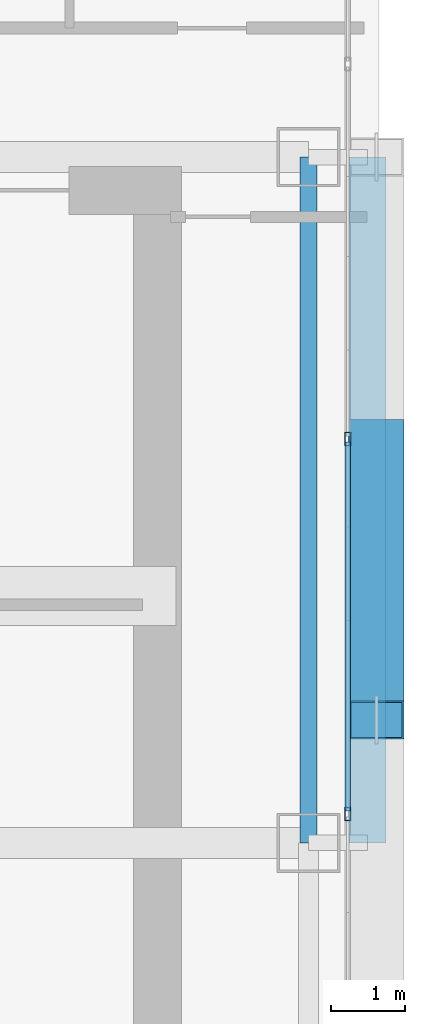
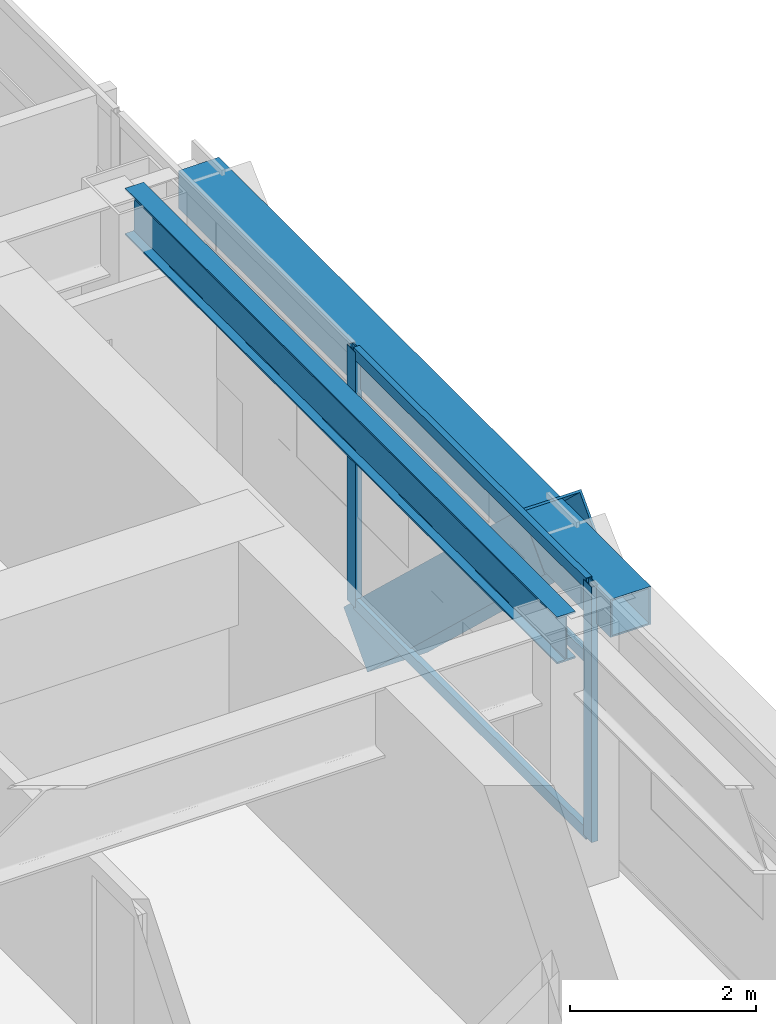
# One storey, part 15 of 35: 6 members, 2 beams, 1 element without a shape of its own.
"""IFC4 building model written with IfcOpenShell, lengths in metres."""

import ifcopenshell
import ifcopenshell.guid

model = None  # the IFC model being written
_history = None  # IfcOwnerHistory: only IFC2X3 demands one
_inside = {}  # id of a spatial element -> (the spatial element, [elements in it])
_under = {}  # id of a project, library or spatial element -> (it, [spatial elements below it])
_declared = {}  # id of a project -> (the project, [libraries it declares])
_typed = {}  # id of a type object -> (the type object, [elements of that type])
_made_of = {}  # id of a material, layer set ... -> (it, [elements and type objects made of it])


def new_model(schema):
    """Start an empty IFC model of exactly this schema.

    Asked for "IFC4X3", IfcOpenShell would pick the latest addendum, in which some entities
    have other attributes; the version numbers below select the first issue.
    IFC2X3 requires an IfcOwnerHistory on every rooted entity: one is made here for all.
    """
    global model, _history
    if schema == "IFC4X3":
        model = ifcopenshell.file(schema_version=(4, 3, 0, 0))
    else:
        model = ifcopenshell.file(schema=schema)
    _inside.clear()
    _under.clear()
    _declared.clear()
    _typed.clear()
    _made_of.clear()
    _history = None
    if model.schema == "IFC2X3":
        org = make("IfcOrganization", Name="unknown")
        user = make(
            "IfcPersonAndOrganization",
            ThePerson=make("IfcPerson", FamilyName="unknown"),
            TheOrganization=org,
        )
        app = make(
            "IfcApplication",
            ApplicationDeveloper=org,
            Version="unknown",
            ApplicationFullName="unknown",
            ApplicationIdentifier="unknown",
        )
        _history = make(
            "IfcOwnerHistory",
            OwningUser=user,
            OwningApplication=app,
            ChangeAction="ADDED",
            CreationDate=0,
        )
    return model


def make(cls, **values):
    """One entity of the class cls with the attributes given. An attribute that is None is left unset."""
    return model.create_entity(
        cls, **{name: value for name, value in values.items() if value is not None}
    )


def rooted(cls, **values):
    """An entity with a GlobalId (a new one), such as an element, a storey or a relation."""
    return make(cls, GlobalId=ifcopenshell.guid.new(), OwnerHistory=_history, **values)


def si_unit(unit_type, name, prefix=None):
    """IfcSIUnit, for example si_unit("LENGTHUNIT", "METRE", prefix="MILLI")."""
    return make("IfcSIUnit", UnitType=unit_type, Prefix=prefix, Name=name)


def assignment(units):
    """IfcUnitAssignment: the units of a project."""
    return None if units is None else make("IfcUnitAssignment", Units=units)


def point(xyz):
    """IfcCartesianPoint."""
    return None if xyz is None else make("IfcCartesianPoint", Coordinates=xyz)


def direction(xyz):
    """IfcDirection."""
    return None if xyz is None else make("IfcDirection", DirectionRatios=xyz)


def frame(location, z_axis=None, x_axis=None):
    """IfcAxis2Placement3D, a coordinate frame: its origin and axes. An axis left out is left unset."""
    return make(
        "IfcAxis2Placement3D",
        Location=point(location),
        Axis=direction(z_axis),
        RefDirection=direction(x_axis),
    )


def frame_2d(location, x_axis=None):
    """IfcAxis2Placement2D, a coordinate frame in the plane: its origin and x axis."""
    return make(
        "IfcAxis2Placement2D", Location=point(location), RefDirection=direction(x_axis)
    )


def origin():
    """The frame at (0, 0, 0) with its axes left unset."""
    return frame((0.0, 0.0, 0.0))


def origin_2d():
    """The frame at (0, 0) in the plane with its x axis left unset."""
    return frame_2d((0.0, 0.0))


def place(relative_to, where):
    """IfcLocalPlacement: puts the frame where relative to a parent placement (None: the world)."""
    return make(
        "IfcLocalPlacement", PlacementRelTo=relative_to, RelativePlacement=where
    )


def context(
    kind, dimensions, precision=None, world=None, true_north=None, identifier=None
):
    """IfcGeometricRepresentationContext, for example the 3D "Model" context."""
    return make(
        "IfcGeometricRepresentationContext",
        ContextIdentifier=identifier,
        ContextType=kind,
        CoordinateSpaceDimension=dimensions,
        Precision=precision,
        WorldCoordinateSystem=world,
        TrueNorth=true_north,
    )


def subcontext(parent, identifier, kind, view, scale=None):
    """IfcGeometricRepresentationSubContext, for example "Body" below "Model"."""
    return make(
        "IfcGeometricRepresentationSubContext",
        ContextIdentifier=identifier,
        ContextType=kind,
        ParentContext=parent,
        TargetScale=scale,
        TargetView=view,
    )


def project(units=None, contexts=None):
    """IfcProject with its units and contexts."""
    return rooted(
        "IfcProject",
        Name="project",
        RepresentationContexts=contexts,
        UnitsInContext=assignment(units),
    )


def spatial(cls, under=None, at=None, **own):
    """A site, building, storey or space (cls), placed at a placement, below another one or the project."""
    s = rooted(cls, ObjectPlacement=at, **own)
    if under is not None:
        _under.setdefault(under.id(), (under, []))[1].append(s)
    return s


def profile(cls, at=None, kind="AREA", **sizes):
    """A parametric profile (cls). Its sizes go by their IFC names, for example OverallWidth=200.0."""
    return make(cls, ProfileType=kind, Position=at, **sizes)


def hollow_rectangle(**sizes):
    """IfcRectangleHollowProfileDef."""
    return profile("IfcRectangleHollowProfileDef", **sizes)


def i_section(**sizes):
    """IfcIShapeProfileDef."""
    return profile("IfcIShapeProfileDef", **sizes)


def extrude(swept, where, along, depth):
    """IfcExtrudedAreaSolid: the profile swept, set in the frame where, extruded along a direction by depth."""
    return make(
        "IfcExtrudedAreaSolid",
        SweptArea=swept,
        Position=where,
        ExtrudedDirection=direction(along),
        Depth=depth,
    )


def shape(context_of_items, identifier, shape_type, items):
    """IfcShapeRepresentation: the items that make up one representation, for example the "Body"."""
    return make(
        "IfcShapeRepresentation",
        ContextOfItems=context_of_items,
        RepresentationIdentifier=identifier,
        RepresentationType=shape_type,
        Items=items,
    )


def source(mapping_origin, context_of_items, identifier, shape_type, items):
    """IfcRepresentationMap: a shape defined once, which mapped items show again and again."""
    return make(
        "IfcRepresentationMap",
        MappingOrigin=mapping_origin,
        MappedRepresentation=shape(context_of_items, identifier, shape_type, items),
    )


def transform(
    local_origin,
    x_axis=None,
    y_axis=None,
    z_axis=None,
    scale=None,
    scale2=None,
    scale3=None,
    uniform=True,
):
    """IfcCartesianTransformationOperator3D, or its non-uniform kind. x_axis, y_axis, z_axis: its Axis1, 2, 3."""
    if uniform:
        return make(
            "IfcCartesianTransformationOperator3D",
            Axis1=direction(x_axis),
            Axis2=direction(y_axis),
            LocalOrigin=point(local_origin),
            Scale=scale,
            Axis3=direction(z_axis),
        )
    return make(
        "IfcCartesianTransformationOperator3DnonUniform",
        Axis1=direction(x_axis),
        Axis2=direction(y_axis),
        LocalOrigin=point(local_origin),
        Scale=scale,
        Axis3=direction(z_axis),
        Scale2=scale2,
        Scale3=scale3,
    )


def mapped(mapping_source, mapping_target):
    """IfcMappedItem: shows the shape of a source again, moved by a transform."""
    return make(
        "IfcMappedItem", MappingSource=mapping_source, MappingTarget=mapping_target
    )


def material(Name=None, Category=None):
    """IfcMaterial."""
    return make("IfcMaterial", Name=Name, Category=Category)


def layer(
    of_material, thickness, ventilated=None, Name=None, Category=None, Priority=None
):
    """IfcMaterialLayer: one layer of a wall or slab, of a material (None: an air gap)."""
    return make(
        "IfcMaterialLayer",
        Material=of_material,
        LayerThickness=thickness,
        IsVentilated=ventilated,
        Name=Name,
        Category=Category,
        Priority=Priority,
    )


def layer_set(layers, Name=None):
    """IfcMaterialLayerSet."""
    return make("IfcMaterialLayerSet", MaterialLayers=layers, LayerSetName=Name)


def material_profile(
    of_material, cross_section, Name=None, Category=None, Priority=None
):
    """IfcMaterialProfile: a cross section and its material."""
    return make(
        "IfcMaterialProfile",
        Name=Name,
        Material=of_material,
        Profile=cross_section,
        Priority=Priority,
        Category=Category,
    )


def profile_set(profiles, Name=None, composite=None):
    """IfcMaterialProfileSet."""
    return make(
        "IfcMaterialProfileSet",
        Name=Name,
        MaterialProfiles=profiles,
        CompositeProfile=composite,
    )


def made_of(thing, what):
    """Note that an element or type object is made of a material, layer set ...; save() writes the relation."""
    if what is not None:
        _made_of.setdefault(what.id(), (what, []))[1].append(thing)
    return thing


def type_object(cls, material=None, **own):
    """A type object (cls), such as IfcWallType, which elements share."""
    return made_of(rooted(cls, **own), material)


def element(
    cls,
    number,
    at=None,
    inside=None,
    cuts=None,
    type_object=None,
    material=None,
    context=None,
    identifier="Body",
    shape_type=None,
    held_by="IfcProductDefinitionShape",
    body=None,
    shapes=None,
    **own,
):
    """One element of the class cls, such as IfcWall. Its Tag is "e" and its number.

    at: its placement. inside: the storey or other place that contains it. cuts: it is an
    opening in that element (IfcRelVoidsElement). A single representation is given by context,
    identifier, shape_type and body (its items); several are given by shapes. held_by: the class
    of the entity that holds the representations. save() writes the other relations.
    """
    e = rooted(cls, Tag="e%d" % number, ObjectPlacement=at, **own)
    if body is not None:
        shapes = [shape(context, identifier, shape_type, body)]
    if shapes is not None:
        e.Representation = make(held_by, Representations=shapes)
    if inside is not None:
        _inside.setdefault(inside.id(), (inside, []))[1].append(e)
    if cuts is not None:
        rooted(
            "IfcRelVoidsElement", RelatingBuildingElement=cuts, RelatedOpeningElement=e
        )
    if type_object is not None:
        _typed.setdefault(type_object.id(), (type_object, []))[1].append(e)
    return made_of(e, material)


def aggregate(whole, parts):
    """IfcRelAggregates: a whole, such as a stair, and the parts it consists of."""
    return rooted("IfcRelAggregates", RelatingObject=whole, RelatedObjects=parts)


def save(model, path):
    """Write the relations noted so far, then the file.

    IfcRelAggregates (storeys below a building ...), IfcRelContainedInSpatialStructure (elements
    in a storey), IfcRelDefinesByType, IfcRelAssociatesMaterial and IfcRelDeclares: one each for
    every whole, place, type object, material and project.
    """
    for whole, parts in _under.values():
        aggregate(whole, parts)
    for where, things in _inside.values():
        rooted(
            "IfcRelContainedInSpatialStructure",
            RelatedElements=things,
            RelatingStructure=where,
        )
    for kind, things in _typed.values():
        rooted("IfcRelDefinesByType", RelatedObjects=things, RelatingType=kind)
    for what, things in _made_of.values():
        rooted("IfcRelAssociatesMaterial", RelatedObjects=things, RelatingMaterial=what)
    for by, libraries in _declared.values():
        rooted("IfcRelDeclares", RelatingContext=by, RelatedDefinitions=libraries)
    model.write(path)


model = new_model("IFC4")

# Units and contexts
model_context = context("Model", 3, precision=1e-05, world=origin(), true_north=direction((0.0, 1.0)))
body_context = subcontext(model_context, "Body", "Model", "MODEL_VIEW")
ifc_project = project(units=[si_unit("LENGTHUNIT", "METRE"), si_unit("AREAUNIT", "SQUARE_METRE"), si_unit("VOLUMEUNIT", "CUBIC_METRE"), si_unit("PLANEANGLEUNIT", "RADIAN"), si_unit("MASSUNIT", "GRAM", prefix="KILO")], contexts=[model_context])

# Site, building, storey
site_placement = place(None, origin())
site = spatial("IfcSite", under=ifc_project, at=site_placement, CompositionType="ELEMENT")
building_placement = place(site_placement, origin())
building = spatial("IfcBuilding", under=site, at=building_placement, Name="Ocotamira Hotel", CompositionType="ELEMENT")
storey_placement = place(building_placement, frame((0.0, 0.0, 100.800048828125)))
storey = spatial("IfcBuildingStorey", under=building, at=storey_placement, Name="L24", CompositionType="ELEMENT", Elevation=100.800048828125)

# Beams
ifc_material_1 = material(Name="Steel ASTM A992 Grade 50", Category="steel")
ifc_material_profile_1 = material_profile(ifc_material_1, i_section(OverallWidth=0.22998046875, OverallDepth=0.616943359375, WebThickness=0.01318359375, FlangeThickness=0.022216796875, FilletRadius=0.012939453125, at=origin_2d()), Name="W24X94")
ifc_profile_set_1 = profile_set([ifc_material_profile_1], Name="Steel ASTM A992 Grade 50")
beam_type_1 = type_object("IfcBeamType", Name="BM-PRIM-W24X94", PredefinedType="BEAM", material=ifc_profile_set_1)
shared_shape_1 = source(origin(), body_context, "Body", "SweptSolid", [
    extrude(i_section(OverallWidth=0.22998046875, OverallDepth=0.616943359375, WebThickness=0.01318359375, FlangeThickness=0.022216796875, FilletRadius=0.012939453125, at=origin_2d()), origin(), (0.0, 0.0, 1.0), 9.300048828125),
])
beam_1_placement = place(storey_placement, frame((55.050048828125, 28.14990234375, 3.051513671875), z_axis=(0.0, 1.0, 0.0), x_axis=(-1.0, 0.0, 0.0)))
element("IfcBeam", 1, at=beam_1_placement, inside=storey, type_object=beam_type_1, Name="L24 Beam X55.05 Y28.15-37.45", PredefinedType="BEAM", context=body_context, shape_type="MappedRepresentation", body=[
    mapped(shared_shape_1, transform((0.0, 0.0, 0.0), scale=1.0)),
])
ifc_material_2 = material(Name="Steel ASTM A500 Grade C", Category="steel")
ifc_material_profile_2 = material_profile(ifc_material_2, hollow_rectangle(XDim=0.5, YDim=0.5, WallThickness=0.02001953125, at=origin_2d()), Name="HSS500X500X20")
ifc_profile_set_2 = profile_set([ifc_material_profile_2], Name="Steel ASTM A500 Grade C")
beam_type_2 = type_object("IfcBeamType", Name="BM-SPAN-HSS500", PredefinedType="USERDEFINED", material=ifc_profile_set_2)
shared_shape_2 = source(origin(), body_context, "Body", "SweptSolid", [
    extrude(hollow_rectangle(XDim=0.5, YDim=0.5, WallThickness=0.02001953125, at=origin_2d()), origin(), (0.0, 0.0, 1.0), 9.300048828125),
])
beam_2_placement = place(storey_placement, frame((55.85009765625, 28.14990234375, 3.10986328125), z_axis=(0.0, 1.0, 0.0), x_axis=(-1.0, 0.0, 0.0)))
element("IfcBeam", 2, at=beam_2_placement, inside=storey, type_object=beam_type_2, Name="L24 Edge Spandrel E Y28.15-37.45", ObjectType="SPANDREL", PredefinedType="USERDEFINED", context=body_context, shape_type="MappedRepresentation", body=[
    mapped(shared_shape_2, transform((0.0, 0.0, 0.0), scale=1.0)),
])

# Member
ifc_material_3 = material(Name="Pale-metal coated steel ASTM A913 Grade 65", Category="steel")
ifc_material_profile_3 = material_profile(ifc_material_3, hollow_rectangle(XDim=0.75, YDim=0.75, WallThickness=0.028076171875, at=origin_2d()), Name="BOX750X750X28")
ifc_profile_set_3 = profile_set([ifc_material_profile_3], Name="Pale-metal coated steel ASTM A913 Grade 65")
member_type_1 = type_object("IfcMemberType", Name="MEM-EXO-BOX750", PredefinedType="BRACE", material=ifc_profile_set_3)
shared_shape_3 = source(origin(), body_context, "Body", "SweptSolid", [
    extrude(hollow_rectangle(XDim=0.75, YDim=0.75, WallThickness=0.028076171875, at=origin_2d()), origin(), (0.0, 0.0, 1.0), 5.24658203125),
])
member_1_placement = place(storey_placement, frame((55.969970703125, 33.63330078125, -0.489990234375), z_axis=(0.0, -0.72746596067, 0.686143772154), x_axis=(1.0, 0.0, 0.0)))
element("IfcMember", 3, at=member_1_placement, inside=storey, type_object=member_type_1, Name="L24 Exoskeleton Diagrid E2.1", PredefinedType="BRACE", context=body_context, shape_type="MappedRepresentation", body=[
    mapped(shared_shape_3, transform((0.0, 0.0, 0.0), scale=1.0)),
])

# Curtain wall, members
ifc_material_4 = material(Name="Anodised pale-metal aluminium and solar glass", Category="aluminium")
ifc_layer = layer(ifc_material_4, 0.179931640625)
ifc_layer_set = layer_set([ifc_layer], Name="Anodised pale-metal aluminium and solar glass")
curtain_wall_type = type_object("IfcCurtainWallType", Name="CW-SYS3-Z2", PredefinedType="NOTDEFINED", material=ifc_layer_set)
curtain_wall_placement = place(storey_placement, origin())
curtain_wall = element("IfcCurtainWall", 4, at=curtain_wall_placement, inside=storey, type_object=curtain_wall_type, Name="L24 Curtain Wall CW-3 CW-L24-E", PredefinedType="NOTDEFINED")
ifc_material_5 = material(Name="Anodised pale-metal aluminium 6063-T6", Category="aluminium")
ifc_material_profile_4 = material_profile(ifc_material_5, hollow_rectangle(XDim=0.074951171875, YDim=0.14990234375, WallThickness=0.006103515625, at=origin_2d()), Name="HSS150X75X6")
ifc_profile_set_4 = profile_set([ifc_material_profile_4], Name="Anodised pale-metal aluminium 6063-T6")
member_type_2 = type_object("IfcMemberType", Name="CWT-150X75", PredefinedType="USERDEFINED", material=ifc_profile_set_4)
shared_shape_4 = source(origin(), body_context, "Body", "SweptSolid", [
    extrude(hollow_rectangle(XDim=0.074951171875, YDim=0.14990234375, WallThickness=0.006103515625, at=origin_2d()), origin(), (0.0, 0.0, 1.0), 5.005859375),
])
member_2_placement = place(storey_placement, frame((55.580078125, 28.582763671875, 0.037353515625), z_axis=(0.0, 1.0, 0.0), x_axis=(-1.0, 0.0, 0.0)))
member_2 = element("IfcMember", 5, at=member_2_placement, type_object=member_type_2, Name="CW-3 transom 5.1", ObjectType="TRANSOM", PredefinedType="USERDEFINED", context=body_context, shape_type="MappedRepresentation", body=[
    mapped(shared_shape_4, transform((0.0, 0.0, 0.0), scale=1.0)),
])
member_3_placement = place(storey_placement, frame((55.580078125, 28.582763671875, 2.349853515625), z_axis=(0.0, 1.0, 0.0), x_axis=(-1.0, 0.0, 0.0)))
member_3 = element("IfcMember", 6, at=member_3_placement, type_object=member_type_2, Name="CW-3 transom 5.2", ObjectType="TRANSOM", PredefinedType="USERDEFINED", context=body_context, shape_type="MappedRepresentation", body=[
    mapped(shared_shape_4, transform((0.0, 0.0, 0.0), scale=1.0)),
])
member_4_placement = place(storey_placement, frame((55.580078125, 28.582763671875, 3.322509765625), z_axis=(0.0, 1.0, 0.0), x_axis=(-1.0, 0.0, 0.0)))
member_4 = element("IfcMember", 7, at=member_4_placement, type_object=member_type_2, Name="CW-3 transom 5.3", ObjectType="TRANSOM", PredefinedType="USERDEFINED", context=body_context, shape_type="MappedRepresentation", body=[
    mapped(shared_shape_4, transform((0.0, 0.0, 0.0), scale=1.0)),
])
ifc_material_profile_5 = material_profile(ifc_material_5, hollow_rectangle(XDim=0.080078125, YDim=0.179931640625, WallThickness=0.006103515625, at=origin_2d()), Name="HSS180X80X6")
ifc_profile_set_5 = profile_set([ifc_material_profile_5], Name="Anodised pale-metal aluminium 6063-T6")
member_type_3 = type_object("IfcMemberType", Name="CWM-180X75", PredefinedType="MULLION", material=ifc_profile_set_5)
shared_shape_5 = source(origin(), body_context, "Body", "SweptSolid", [
    extrude(hollow_rectangle(XDim=0.080078125, YDim=0.179931640625, WallThickness=0.006103515625, at=origin_2d()), origin(), (0.0, 0.0, 1.0), 3.35986328125),
])
member_5_placement = place(storey_placement, frame((55.580078125, 28.54296875, 0.0), z_axis=(0.0, 0.0, 1.0), x_axis=(-1.0, 0.0, 0.0)))
member_5 = element("IfcMember", 8, at=member_5_placement, type_object=member_type_3, Name="CW-3 mullion 5", PredefinedType="MULLION", context=body_context, shape_type="MappedRepresentation", body=[
    mapped(shared_shape_5, transform((0.0, 0.0, 0.0), scale=1.0)),
])
member_6_placement = place(storey_placement, frame((55.580078125, 33.628662109375, 0.0), z_axis=(0.0, 0.0, 1.0), x_axis=(-1.0, 0.0, 0.0)))
member_6 = element("IfcMember", 9, at=member_6_placement, type_object=member_type_3, Name="CW-3 mullion 6", PredefinedType="MULLION", context=body_context, shape_type="MappedRepresentation", body=[
    mapped(shared_shape_5, transform((0.0, 0.0, 0.0), scale=1.0)),
])
aggregate(curtain_wall, [member_5, member_6, member_2, member_3, member_4])

save(model, "model.ifc")
